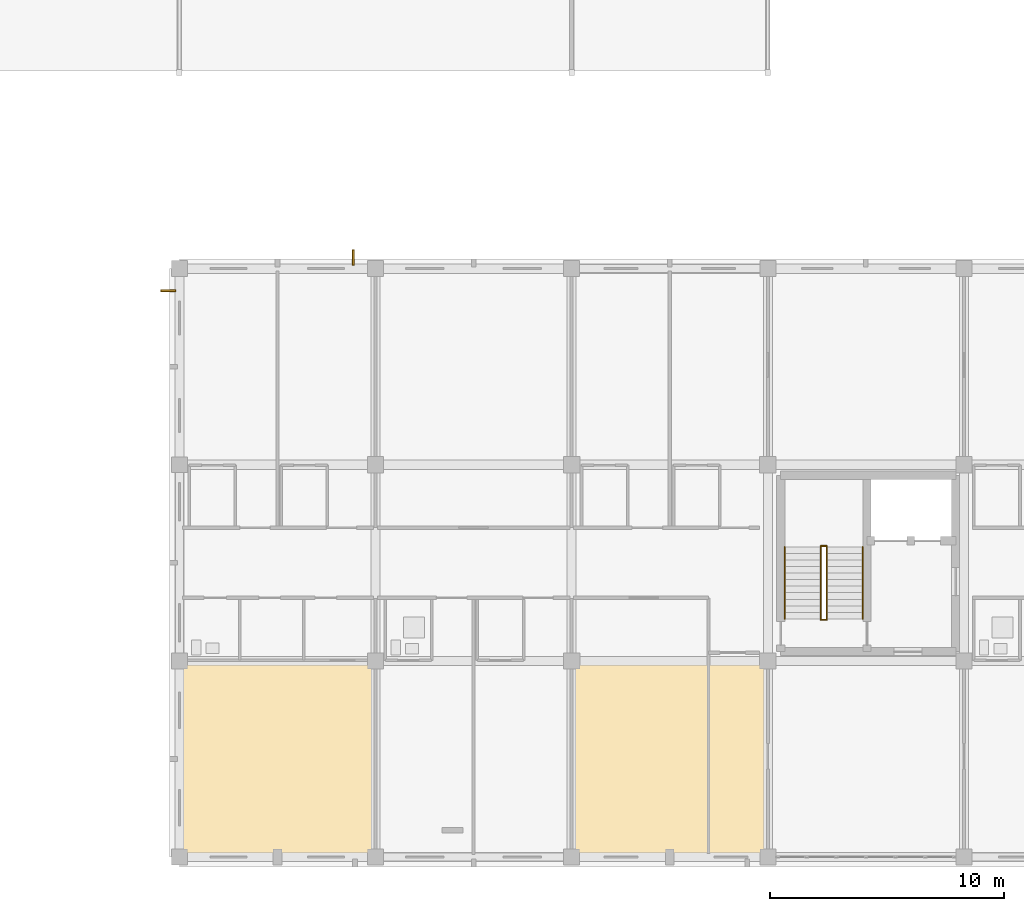
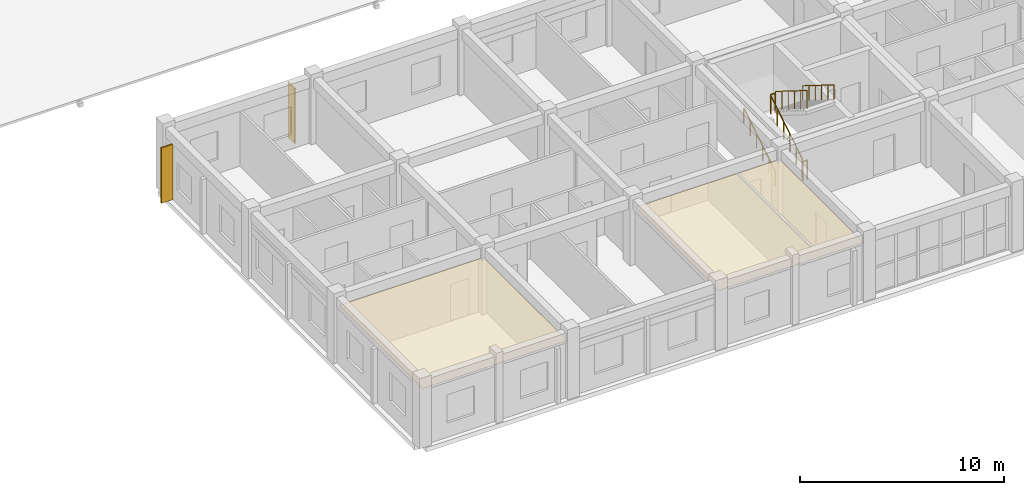
# One storey, part 129 of 140: 6 railings, 2 coverings, 2 shading devices.
"""IFC4 building model written with IfcOpenShell, lengths in metres."""

from ifc_helpers import new_model, si_unit, direction, frame, origin, origin_2d, place, context, subcontext, project, spatial, polyline, rectangle, circle, outline, extrude, material, layer, layer_set, type_object, element, save


model = new_model("IFC4")

# Units and contexts
model_context = context("Model", 3, precision=1e-05, world=origin(), true_north=direction((0.0, 1.0)))
body_context = subcontext(model_context, "Body", "Model", "MODEL_VIEW")
ifc_project = project(units=[si_unit("LENGTHUNIT", "METRE"), si_unit("AREAUNIT", "SQUARE_METRE"), si_unit("VOLUMEUNIT", "CUBIC_METRE"), si_unit("PLANEANGLEUNIT", "RADIAN"), si_unit("MASSUNIT", "GRAM", prefix="KILO")], contexts=[model_context])

# Site, building, storey
site_placement = place(None, origin())
site = spatial("IfcSite", under=ifc_project, at=site_placement, CompositionType="ELEMENT")
building_placement = place(site_placement, origin())
building = spatial("IfcBuilding", under=site, at=building_placement, Name="Trelvath General Hospital", CompositionType="ELEMENT")
storey_placement = place(building_placement, frame((0.0, 0.0, 16.199951171875)))
storey = spatial("IfcBuildingStorey", under=building, at=storey_placement, Name="L04", CompositionType="ELEMENT", Elevation=16.199951171875)

# Coverings
ifc_material_1 = material(Name="Hygienic acoustic ceiling tile")
ifc_layer = layer(ifc_material_1, 0.02490234375)
ifc_layer_set = layer_set([ifc_layer], Name="Hygienic acoustic ceiling tile")
covering_type = type_object("IfcCoveringType", Name="Ceiling ClinicalAcoustic", PredefinedType="CEILING", material=ifc_layer_set)
covering_1_placement = place(storey_placement, frame((0.0, 0.0, 3.179931640625)))
element("IfcCovering", 1, at=covering_1_placement, inside=storey, type_object=covering_type, Name="Clinical Acoustic Ceiling L04-49", PredefinedType="CEILING", context=body_context, shape_type="SweptSolid", body=[
    extrude(outline(polyline([(16.89990234375, 0.10009765625), (25.10009765625, 0.10009765625), (25.10009765625, 8.320068359375), (16.89990234375, 8.320068359375), (16.89990234375, 0.10009765625)])), origin(), (0.0, 0.0, 1.0), 0.025146484375),
])
covering_2_placement = place(storey_placement, frame((0.0, 0.0, 3.179931640625)))
element("IfcCovering", 2, at=covering_2_placement, inside=storey, type_object=covering_type, Name="Clinical Acoustic Ceiling L04-50", PredefinedType="CEILING", context=body_context, shape_type="SweptSolid", body=[
    extrude(outline(polyline([(33.699951171875, 0.10009765625), (41.89990234375, 0.10009765625), (41.89990234375, 8.320068359375), (33.699951171875, 8.320068359375), (33.699951171875, 0.10009765625)])), origin(), (0.0, 0.0, 1.0), 0.025146484375),
])

# Railings
ifc_material_2 = material(Name="Architectural painted steel", Category="steel")
railing_type_1 = type_object("IfcRailingType", Name="Guardrail Terrace1150", PredefinedType="GUARDRAIL", material=ifc_material_2)
railing_1_placement = place(storey_placement, frame((44.27001953125, 10.159912109375, 0.0)))
element("IfcRailing", 3, at=railing_1_placement, inside=storey, type_object=railing_type_1, Name="Stair Well Edge Guard C4 L04 144", PredefinedType="GUARDRAIL", context=body_context, shape_type="SweptSolid", body=[
    extrude(circle(Radius=0.02392578125, at=origin_2d()), frame((0.0, 0.0, 1.1259765625), z_axis=(1.0, 0.0, 0.0), x_axis=(0.0, 1.0, 0.0)), (0.0, 0.0, 1.0), 0.260009765625),
    extrude(circle(Radius=0.02099609375, at=origin_2d()), origin(), (0.0, 0.0, 1.0), 1.099853515625),
    extrude(circle(Radius=0.02099609375, at=origin_2d()), frame((0.260009765625, 0.0, 0.0)), (0.0, 0.0, 1.0), 1.099853515625),
])
railing_2_placement = place(storey_placement, frame((44.530029296875, 13.280029296875, 2.275146484375)))
element("IfcRailing", 4, at=railing_2_placement, inside=storey, type_object=railing_type_1, Name="Stair Rail ST4 L04 F2 L 146", PredefinedType="GUARDRAIL", context=body_context, shape_type="SweptSolid", body=[
    extrude(circle(Radius=0.02392578125, at=origin_2d()), frame((0.0, 0.0, 1.076171875), z_axis=(0.0, -0.848028513186, 0.529950602248), x_axis=(1.0, 0.0, 0.0)), (0.0, 0.0, 1.0), 3.632080078125),
    extrude(circle(Radius=0.02099609375, at=origin_2d()), origin(), (0.0, 0.0, 1.0), 1.050048828125),
    extrude(circle(Radius=0.02099609375, at=origin_2d()), frame((0.0, -0.615966796875, 0.385009765625)), (0.0, 0.0, 1.0), 1.050048828125),
    extrude(circle(Radius=0.02099609375, at=origin_2d()), frame((0.0, -1.23193359375, 0.77001953125)), (0.0, 0.0, 1.0), 1.050048828125),
    extrude(circle(Radius=0.02099609375, at=origin_2d()), frame((0.0, -1.84814453125, 1.15478515625)), (0.0, 0.0, 1.0), 1.050048828125),
    extrude(circle(Radius=0.02099609375, at=origin_2d()), frame((0.0, -2.464111328125, 1.539794921875)), (0.0, 0.0, 1.0), 1.050048828125),
    extrude(circle(Radius=0.02099609375, at=origin_2d()), frame((0.0, -3.080078125, 1.9248046875)), (0.0, 0.0, 1.0), 1.050048828125),
])
railing_3_placement = place(storey_placement, frame((44.27001953125, 10.199951171875, 0.175048828125)))
element("IfcRailing", 5, at=railing_3_placement, inside=storey, type_object=railing_type_1, Name="Stair Rail ST4 L04 F1 R 147", PredefinedType="GUARDRAIL", context=body_context, shape_type="SweptSolid", body=[
    extrude(circle(Radius=0.02392578125, at=origin_2d()), frame((0.0, 0.0, 1.076171875), z_axis=(0.0, 0.847998304005, 0.529998940003), x_axis=(-1.0, 0.0, 0.0)), (0.0, 0.0, 1.0), 3.632080078125),
    extrude(circle(Radius=0.02099609375, at=origin_2d()), origin(), (0.0, 0.0, 1.0), 1.050048828125),
    extrude(circle(Radius=0.02099609375, at=origin_2d()), frame((0.0, 0.615966796875, 0.385009765625)), (0.0, 0.0, 1.0), 1.050048828125),
    extrude(circle(Radius=0.02099609375, at=origin_2d()), frame((0.0, 1.23193359375, 0.77001953125)), (0.0, 0.0, 1.0), 1.050048828125),
    extrude(circle(Radius=0.02099609375, at=origin_2d()), frame((0.0, 1.84814453125, 1.155029296875)), (0.0, 0.0, 1.0), 1.050048828125),
    extrude(circle(Radius=0.02099609375, at=origin_2d()), frame((0.0, 2.464111328125, 1.5400390625)), (0.0, 0.0, 1.0), 1.050048828125),
    extrude(circle(Radius=0.02099609375, at=origin_2d()), frame((0.0, 3.080078125, 1.925048828125)), (0.0, 0.0, 1.0), 1.050048828125),
])
railing_4_placement = place(storey_placement, frame((44.27001953125, 13.320068359375, 2.10009765625)))
element("IfcRailing", 6, at=railing_4_placement, inside=storey, type_object=railing_type_1, Name="Half-Landing Well Guard ST4 L04 149", PredefinedType="GUARDRAIL", context=body_context, shape_type="SweptSolid", body=[
    extrude(circle(Radius=0.02392578125, at=origin_2d()), frame((0.0, 0.0, 1.1259765625), z_axis=(1.0, 0.0, 0.0), x_axis=(0.0, 1.0, 0.0)), (0.0, 0.0, 1.0), 0.260009765625),
    extrude(circle(Radius=0.02099609375, at=origin_2d()), origin(), (0.0, 0.0, 1.0), 1.099853515625),
    extrude(circle(Radius=0.02099609375, at=origin_2d()), frame((0.260009765625, 0.0, 0.0)), (0.0, 0.0, 1.0), 1.099853515625),
])
ifc_material_3 = material(Name="Brushed stainless steel", Category="steel")
railing_type_2 = type_object("IfcRailingType", Name="Handrail Stair900", PredefinedType="HANDRAIL", material=ifc_material_3)
railing_5_placement = place(storey_placement, frame((42.72998046875, 10.199951171875, 0.175048828125)))
element("IfcRailing", 7, at=railing_5_placement, inside=storey, type_object=railing_type_2, Name="Stair Rail ST4 L04 F1 L 145", PredefinedType="HANDRAIL", context=body_context, shape_type="SweptSolid", body=[
    extrude(circle(Radius=0.02392578125, at=origin_2d()), frame((0.0, 0.0, 0.8759765625), z_axis=(0.0, 0.847998304005, 0.529998940003), x_axis=(-1.0, 0.0, 0.0)), (0.0, 0.0, 1.0), 3.632080078125),
    extrude(circle(Radius=0.02099609375, at=origin_2d()), origin(), (0.0, 0.0, 1.0), 0.849853515625),
    extrude(circle(Radius=0.02099609375, at=origin_2d()), frame((0.0, 0.615966796875, 0.385009765625)), (0.0, 0.0, 1.0), 0.849853515625),
    extrude(circle(Radius=0.02099609375, at=origin_2d()), frame((0.0, 1.23193359375, 0.77001953125)), (0.0, 0.0, 1.0), 0.849853515625),
    extrude(circle(Radius=0.02099609375, at=origin_2d()), frame((0.0, 1.84814453125, 1.155029296875)), (0.0, 0.0, 1.0), 0.849853515625),
    extrude(circle(Radius=0.02099609375, at=origin_2d()), frame((0.0, 2.464111328125, 1.5400390625)), (0.0, 0.0, 1.0), 0.849853515625),
    extrude(circle(Radius=0.02099609375, at=origin_2d()), frame((0.0, 3.080078125, 1.925048828125)), (0.0, 0.0, 1.0), 0.849853515625),
])
railing_6_placement = place(storey_placement, frame((46.070068359375, 13.280029296875, 2.275146484375)))
element("IfcRailing", 8, at=railing_6_placement, inside=storey, type_object=railing_type_2, Name="Stair Rail ST4 L04 F2 R 148", PredefinedType="HANDRAIL", context=body_context, shape_type="SweptSolid", body=[
    extrude(circle(Radius=0.02392578125, at=origin_2d()), frame((0.0, 0.0, 0.8759765625), z_axis=(0.0, -0.848028513186, 0.529950602248), x_axis=(1.0, 0.0, 0.0)), (0.0, 0.0, 1.0), 3.632080078125),
    extrude(circle(Radius=0.02099609375, at=origin_2d()), origin(), (0.0, 0.0, 1.0), 0.849853515625),
    extrude(circle(Radius=0.02099609375, at=origin_2d()), frame((0.0, -0.615966796875, 0.385009765625)), (0.0, 0.0, 1.0), 0.849853515625),
    extrude(circle(Radius=0.02099609375, at=origin_2d()), frame((0.0, -1.23193359375, 0.77001953125)), (0.0, 0.0, 1.0), 0.849853515625),
    extrude(circle(Radius=0.02099609375, at=origin_2d()), frame((0.0, -1.84814453125, 1.15478515625)), (0.0, 0.0, 1.0), 0.849853515625),
    extrude(circle(Radius=0.02099609375, at=origin_2d()), frame((0.0, -2.464111328125, 1.539794921875)), (0.0, 0.0, 1.0), 0.849853515625),
    extrude(circle(Radius=0.02099609375, at=origin_2d()), frame((0.0, -3.080078125, 1.9248046875)), (0.0, 0.0, 1.0), 0.849853515625),
])

# Shading devices
ifc_material_4 = material(Name="Anodised aluminium", Category="aluminium")
shading_device_type = type_object("IfcShadingDeviceType", Name="SolarScreen PerforatedAlu", PredefinedType="JALOUSIE", material=ifc_material_4)
for number, where, z_axis, x_axis, name in (
    (9, (24.24658203125, 25.679931640625, 0.0), (0.0, 0.0, 1.0), (0.0, 1.0, 0.0), "Solar Brise-Soleil Screen L04-70"),
    (10, (16.320068359375, 24.24658203125, 0.0), (0.0, 0.0, 1.0), (-1.0, 0.0, 0.0), "Solar Brise-Soleil Screen L04-71"),
):
    element("IfcShadingDevice", number, at=place(storey_placement, frame(where, z_axis=z_axis, x_axis=x_axis)), inside=storey, type_object=shading_device_type, Name=name, PredefinedType="JALOUSIE", context=body_context, shape_type="SweptSolid", body=[
        extrude(rectangle(XDim=0.64990234375, YDim=0.080078125, at=origin_2d()), origin(), (0.0, 0.0, 1.0), 3.320068359375),
    ])

save(model, "model.ifc")
